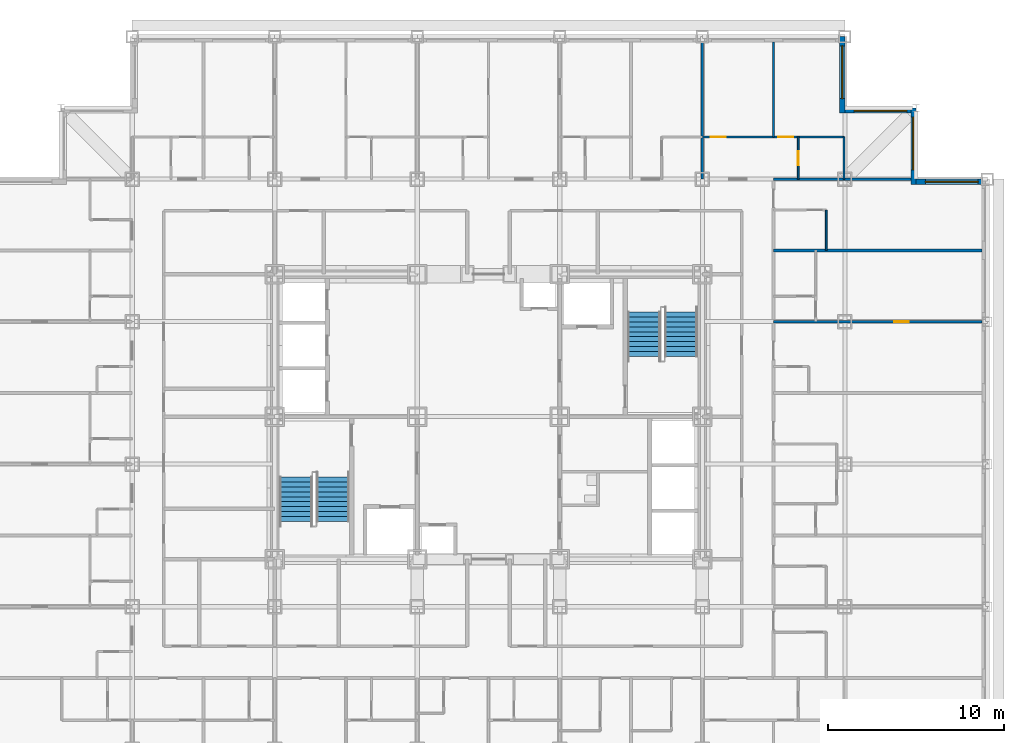
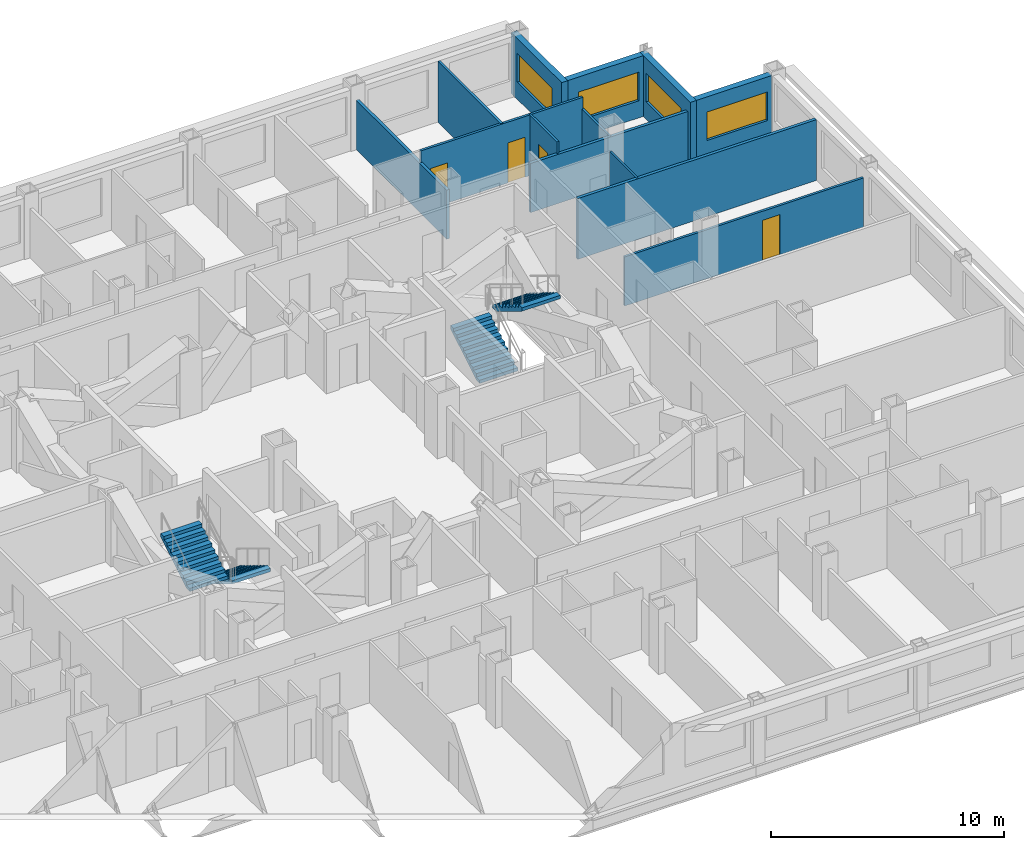
# One storey, part 12 of 14: 13 walls, 4 doors, 4 stair flights, 4 windows, 8 openings, 2 elements without a shape of their own.
"""IFC4 building model written with IfcOpenShell, lengths in metres."""

from ifc_helpers import new_model, si_unit, direction, frame, frame_2d, origin, place, context, subcontext, project, spatial, rectangle, extrude, polygons, source, transform, mapped, material, layer, layer_set, type_object, element, fill, aggregate, save


model = new_model("IFC4")

# Units and contexts
model_context = context("Model", 3, precision=1e-05, world=origin(), true_north=direction((0.0, 1.0)))
body_context = subcontext(model_context, "Body", "Model", "MODEL_VIEW")
ifc_project = project(units=[si_unit("LENGTHUNIT", "METRE"), si_unit("AREAUNIT", "SQUARE_METRE"), si_unit("VOLUMEUNIT", "CUBIC_METRE"), si_unit("PLANEANGLEUNIT", "RADIAN"), si_unit("MASSUNIT", "GRAM", prefix="KILO")], contexts=[model_context])

# Site, building, storey
site_placement = place(None, origin())
site = spatial("IfcSite", under=ifc_project, at=site_placement, CompositionType="ELEMENT")
building_placement = place(site_placement, origin())
building = spatial("IfcBuilding", under=site, at=building_placement, Name="Kopane Lantern Tower", CompositionType="ELEMENT")
storey_placement = place(building_placement, frame((0.0, 0.0, 137.39990234375)))
storey = spatial("IfcBuildingStorey", under=building, at=storey_placement, Name="L35", CompositionType="ELEMENT", Elevation=137.39990234375)

# Wall, opening, door
ifc_material_1 = material(Name="Gypsum board on steel studs", Category="steel")
ifc_layer_1 = layer(ifc_material_1, 0.1201171875)
ifc_layer_set_1 = layer_set([ifc_layer_1], Name="APARTMENT INTERNAL WALL 120")
wall_type_1 = type_object("IfcWallType", Name="APARTMENT INTERNAL WALL 120", PredefinedType="PARTITIONING", material=ifc_layer_set_1)
wall_1_placement = place(storey_placement, frame((44.550048828125, 37.800048828125, 0.0), z_axis=(0.0, 0.0, 1.0), x_axis=(1.0, 0.0, 0.0)))
wall_1 = element("IfcWall", 1, at=wall_1_placement, inside=storey, type_object=wall_type_1, Name="Apartment Internal Wall 120 L35", PredefinedType="PARTITIONING", context=body_context, shape_type="SweptSolid", body=[
    extrude(rectangle(XDim=11.849853515625, YDim=0.1201171875, at=frame_2d((5.9248046875, 0.0))), origin(), (0.0, 0.0, 1.0), 2.577880859375),
])
opening_1_placement = place(wall_1_placement, frame((6.85009765625, 0.0, 0.0)))
opening_1 = element("IfcOpeningElement", 2, at=opening_1_placement, cuts=wall_1, Name="Opening L35-067", PredefinedType="OPENING", context=body_context, shape_type="SweptSolid", body=[
    extrude(rectangle(XDim=0.85009765625, YDim=2.10009765625, at=frame_2d((0.425048828125, 1.050048828125))), frame((0.0, 0.070068359375, 0.0), z_axis=(0.0, -1.0, 0.0), x_axis=(1.0, 0.0, 0.0)), (0.0, 0.0, 1.0), 0.14013671875),
])
ifc_material_2 = material(Name="Timber door set", Category="wood")
door_type_1 = type_object("IfcDoorType", Name="DOOR D4 850x2100", OperationType="SINGLE_SWING_LEFT", PredefinedType="DOOR", material=ifc_material_2)
door_1_placement = place(opening_1_placement, origin())
door_1 = element("IfcDoor", 3, at=door_1_placement, inside=storey, type_object=door_type_1, Name="Door L35-067", OperationType="SINGLE_SWING_LEFT", OverallHeight=2.10009765625, OverallWidth=0.85009765625, PredefinedType="DOOR", context=body_context, shape_type="SweptSolid", body=[
    extrude(rectangle(XDim=0.85009765625, YDim=2.10009765625, at=frame_2d((0.425048828125, 1.050048828125))), frame((0.0, 0.02490234375, 0.0), z_axis=(0.0, -1.0, 0.0), x_axis=(1.0, 0.0, 0.0)), (0.0, 0.0, 1.0), 0.050048828125),
])
fill(opening_1, door_1)

# Wall, openings, doors
wall_2_placement = place(storey_placement, frame((40.5, 48.300048828125, 0.0), z_axis=(0.0, 0.0, 1.0), x_axis=(1.0, 0.0, 0.0)))
wall_2 = element("IfcWall", 4, at=wall_2_placement, inside=storey, type_object=wall_type_1, Name="Apartment Internal Wall 120 L35", PredefinedType="PARTITIONING", context=body_context, shape_type="SweptSolid", body=[
    extrude(rectangle(XDim=8.050048828125, YDim=0.1201171875, at=frame_2d((4.02490234375, 0.0))), origin(), (0.0, 0.0, 1.0), 3.190185546875),
])
opening_2_placement = place(wall_2_placement, frame((0.47509765625, 0.0, 0.0)))
opening_2 = element("IfcOpeningElement", 5, at=opening_2_placement, cuts=wall_2, Name="Opening L35-081", PredefinedType="OPENING", context=body_context, shape_type="SweptSolid", body=[
    extrude(rectangle(XDim=0.85009765625, YDim=2.10009765625, at=frame_2d((0.425048828125, 1.050048828125))), frame((0.0, 0.070068359375, 0.0), z_axis=(0.0, -1.0, 0.0), x_axis=(1.0, 0.0, 0.0)), (0.0, 0.0, 1.0), 0.14013671875),
])
opening_3_placement = place(wall_2_placement, frame((4.324951171875, 0.0, 0.0)))
opening_3 = element("IfcOpeningElement", 6, at=opening_3_placement, cuts=wall_2, Name="Opening L35-083", PredefinedType="OPENING", context=body_context, shape_type="SweptSolid", body=[
    extrude(rectangle(XDim=0.85009765625, YDim=2.10009765625, at=frame_2d((0.425048828125, 1.050048828125))), frame((0.0, 0.070068359375, 0.0), z_axis=(0.0, -1.0, 0.0), x_axis=(1.0, 0.0, 0.0)), (0.0, 0.0, 1.0), 0.14013671875),
])
door_2_placement = place(opening_2_placement, origin())
door_2 = element("IfcDoor", 7, at=door_2_placement, inside=storey, type_object=door_type_1, Name="Door L35-081", OperationType="SINGLE_SWING_RIGHT", OverallHeight=2.10009765625, OverallWidth=0.85009765625, PredefinedType="DOOR", context=body_context, shape_type="SweptSolid", body=[
    extrude(rectangle(XDim=0.85009765625, YDim=2.10009765625, at=frame_2d((0.425048828125, 1.050048828125))), frame((0.0, 0.02490234375, 0.0), z_axis=(0.0, -1.0, 0.0), x_axis=(1.0, 0.0, 0.0)), (0.0, 0.0, 1.0), 0.050048828125),
])
fill(opening_2, door_2)
door_3_placement = place(opening_3_placement, origin())
door_3 = element("IfcDoor", 8, at=door_3_placement, inside=storey, type_object=door_type_1, Name="Door L35-083", OperationType="SINGLE_SWING_LEFT", OverallHeight=2.10009765625, OverallWidth=0.85009765625, PredefinedType="DOOR", context=body_context, shape_type="SweptSolid", body=[
    extrude(rectangle(XDim=0.85009765625, YDim=2.10009765625, at=frame_2d((0.425048828125, 1.050048828125))), frame((0.0, 0.02490234375, 0.0), z_axis=(0.0, -1.0, 0.0), x_axis=(1.0, 0.0, 0.0)), (0.0, 0.0, 1.0), 0.050048828125),
])
fill(opening_3, door_3)

# Walls
wall_3_placement = place(storey_placement, frame((44.550048828125, 48.300048828125, 0.0), z_axis=(0.0, 0.0, 1.0), x_axis=(0.0, 1.0, 0.0)))
element("IfcWall", 9, at=wall_3_placement, inside=storey, type_object=wall_type_1, Name="Apartment Internal Wall 120 L35", PredefinedType="PARTITIONING", context=body_context, shape_type="SweptSolid", body=[
    extrude(rectangle(XDim=5.39990234375, YDim=0.1201171875, at=frame_2d((2.699951171875, 0.0))), origin(), (0.0, 0.0, 1.0), 3.190185546875),
])
ifc_material_3 = material(Name="Moisture-resistant board on steel studs", Category="steel")
ifc_layer_2 = layer(ifc_material_3, 0.10009765625)
ifc_layer_set_2 = layer_set([ifc_layer_2], Name="BATHROOM WALL 100")
wall_type_2 = type_object("IfcWallType", Name="BATHROOM WALL 100", PredefinedType="PARTITIONING", material=ifc_layer_set_2)
wall_4_placement = place(storey_placement, frame((47.550048828125, 41.85009765625, 0.0), z_axis=(0.0, 0.0, 1.0), x_axis=(0.0, 1.0, 0.0)))
element("IfcWall", 10, at=wall_4_placement, inside=storey, type_object=wall_type_2, Name="Bathroom Wall 100 L35", PredefinedType="PARTITIONING", context=body_context, shape_type="SweptSolid", body=[
    extrude(rectangle(XDim=2.2998046875, YDim=0.10009765625, at=frame_2d((1.14990234375, 0.0))), origin(), (0.0, 0.0, 1.0), 3.190185546875),
])

# Wall, opening, door
wall_5_placement = place(storey_placement, frame((45.949951171875, 45.89990234375, 0.0), z_axis=(0.0, 0.0, 1.0), x_axis=(0.0, 1.0, 0.0)))
wall_5 = element("IfcWall", 11, at=wall_5_placement, inside=storey, type_object=wall_type_2, Name="Bathroom Wall 100 L35", PredefinedType="PARTITIONING", context=body_context, shape_type="SweptSolid", body=[
    extrude(rectangle(XDim=2.400146484375, YDim=0.10009765625, at=frame_2d((1.2001953125, 0.0))), origin(), (0.0, 0.0, 1.0), 3.190185546875),
])
opening_4_placement = place(wall_5_placement, frame((0.800048828125, 0.0, 0.0)))
opening_4 = element("IfcOpeningElement", 12, at=opening_4_placement, cuts=wall_5, Name="Opening L35-082", PredefinedType="OPENING", context=body_context, shape_type="SweptSolid", body=[
    extrude(rectangle(XDim=0.800048828125, YDim=2.10009765625, at=frame_2d((0.39990234375, 1.050048828125))), frame((0.0, 0.06005859375, 0.0), z_axis=(0.0, -1.0, 0.0), x_axis=(1.0, 0.0, 0.0)), (0.0, 0.0, 1.0), 0.1201171875),
])
ifc_material_4 = material(Name="Timber door set", Category="wood")
door_type_2 = type_object("IfcDoorType", Name="DOOR D2 800x2100", OperationType="SINGLE_SWING_LEFT", PredefinedType="DOOR", material=ifc_material_4)
door_4_placement = place(opening_4_placement, origin())
door_4 = element("IfcDoor", 13, at=door_4_placement, inside=storey, type_object=door_type_2, Name="Door L35-082", OperationType="SINGLE_SWING_RIGHT", OverallHeight=2.10009765625, OverallWidth=0.800048828125, PredefinedType="DOOR", context=body_context, shape_type="SweptSolid", body=[
    extrude(rectangle(XDim=0.800048828125, YDim=2.10009765625, at=frame_2d((0.39990234375, 1.050048828125))), frame((0.0, 0.02490234375, 0.0), z_axis=(0.0, -1.0, 0.0), x_axis=(1.0, 0.0, 0.0)), (0.0, 0.0, 1.0), 0.050048828125),
])
fill(opening_4, door_4)

# Walls
wall_6_placement = place(storey_placement, frame((48.550048828125, 45.89990234375, 0.0), z_axis=(0.0, 0.0, 1.0), x_axis=(0.0, 1.0, 0.0)))
element("IfcWall", 14, at=wall_6_placement, inside=storey, type_object=wall_type_2, Name="Bathroom Wall 100 L35", PredefinedType="PARTITIONING", context=body_context, shape_type="SweptSolid", body=[
    extrude(rectangle(XDim=2.400146484375, YDim=0.10009765625, at=frame_2d((1.2001953125, 0.0))), origin(), (0.0, 0.0, 1.0), 2.577880859375),
])
ifc_material_5 = material(Name="Gypsum board on steel studs", Category="steel")
ifc_layer_3 = layer(ifc_material_5, 0.14990234375)
ifc_layer_set_3 = layer_set([ifc_layer_3], Name="DEMISING WALL 150 EI 60")
wall_type_3 = type_object("IfcWallType", Name="DEMISING WALL 150 EI 60", PredefinedType="PARTITIONING", material=ifc_layer_set_3)
wall_7_placement = place(storey_placement, frame((44.550048828125, 41.85009765625, 0.0), z_axis=(0.0, 0.0, 1.0), x_axis=(1.0, 0.0, 0.0)))
element("IfcWall", 15, at=wall_7_placement, inside=storey, type_object=wall_type_3, Name="Demising Wall 150 Ei 60 L35", PredefinedType="PARTITIONING", context=body_context, shape_type="SweptSolid", body=[
    extrude(rectangle(XDim=11.849853515625, YDim=0.14990234375, at=frame_2d((5.9248046875, 0.0))), origin(), (0.0, 0.0, 1.0), 3.190185546875),
])
for number, where, z_axis, x_axis, name in (
    (16, (44.550048828125, 45.89990234375, 0.0), (0.0, 0.0, 1.0), (1.0, 0.0, 0.0), "Demising Wall 150 Ei 60 L35"),
    (17, (40.5, 45.89990234375, 0.0), (0.0, 0.0, 1.0), (0.0, 1.0, 0.0), "Demising Wall 150 Ei 60 L35"),
):
    element("IfcWall", number, at=place(storey_placement, frame(where, z_axis=z_axis, x_axis=x_axis)), inside=storey, type_object=wall_type_3, Name=name, PredefinedType="PARTITIONING", context=body_context, shape_type="SweptSolid", body=[
        extrude(rectangle(XDim=7.800048828125, YDim=0.14990234375, at=frame_2d((3.89990234375, 0.0))), origin(), (0.0, 0.0, 1.0), 2.577880859375),
    ])

# Wall, opening, window
ifc_material_6 = material(Name="Terracotta rainscreen on light steel framing", Category="masonry")
ifc_layer_4 = layer(ifc_material_6, 0.300048828125)
ifc_layer_set_4 = layer_set([ifc_layer_4], Name="EXTERNAL WALL EW1 300 TERRACOTTA")
wall_type_4 = type_object("IfcWallType", Name="EXTERNAL WALL EW1 300 TERRACOTTA", PredefinedType="SOLIDWALL", material=ifc_layer_set_4)
wall_8_placement = place(storey_placement, frame((56.39990234375, 45.75, 0.0), z_axis=(0.0, 0.0, 1.0), x_axis=(-1.0, 0.0, 0.0)))
wall_8 = element("IfcWall", 18, at=wall_8_placement, inside=storey, type_object=wall_type_4, Name="External wall N L35", PredefinedType="SOLIDWALL", context=body_context, shape_type="SweptSolid", body=[
    extrude(rectangle(XDim=3.75, YDim=0.300048828125, at=frame_2d((1.875, 0.0))), origin(), (0.0, 0.0, 1.0), 3.190185546875),
])
opening_5_placement = place(wall_8_placement, frame((0.22509765625, 0.0, 0.89990234375)))
opening_5 = element("IfcOpeningElement", 19, at=opening_5_placement, cuts=wall_8, Name="Opening WR300150", PredefinedType="OPENING", context=body_context, shape_type="SweptSolid", body=[
    extrude(rectangle(XDim=3.0, YDim=1.5, at=frame_2d((1.5, 0.75))), frame((0.0, 0.159912109375, 0.0), z_axis=(0.0, -1.0, 0.0), x_axis=(1.0, 0.0, 0.0)), (0.0, 0.0, 1.0), 0.320068359375),
])
ifc_material_7 = material(Name="Aluminium and clear glass", Category="aluminium")
window_type = type_object("IfcWindowType", Name="RIBBON WINDOW WR300150 3000x1500", PartitioningType="SINGLE_PANEL", PredefinedType="WINDOW", material=ifc_material_7)
window_1_placement = place(opening_5_placement, origin())
window_1 = element("IfcWindow", 20, at=window_1_placement, inside=storey, type_object=window_type, Name="Window N L35", OverallHeight=1.5, OverallWidth=3.0, PartitioningType="SINGLE_PANEL", PredefinedType="WINDOW", context=body_context, shape_type="SweptSolid", body=[
    extrude(rectangle(XDim=3.0, YDim=1.5, at=frame_2d((1.5, 0.75))), frame((0.0, 0.030029296875, 0.0), z_axis=(0.0, -1.0, 0.0), x_axis=(1.0, 0.0, 0.0)), (0.0, 0.0, 1.0), 0.06005859375),
])
fill(opening_5, window_1)

wall_9_placement = place(storey_placement, frame((52.5, 45.60009765625, 0.0), z_axis=(0.0, 0.0, 1.0), x_axis=(0.0, 1.0, 0.0)))
wall_9 = element("IfcWall", 21, at=wall_9_placement, inside=storey, type_object=wall_type_4, Name="External wall E L35", PredefinedType="SOLIDWALL", context=body_context, shape_type="SweptSolid", body=[
    extrude(rectangle(XDim=4.349853515625, YDim=0.300048828125, at=frame_2d((2.1748046875, 0.0))), origin(), (0.0, 0.0, 1.0), 3.190185546875),
])
opening_6_placement = place(wall_9_placement, frame((0.824951171875, 0.0, 0.89990234375)))
opening_6 = element("IfcOpeningElement", 22, at=opening_6_placement, cuts=wall_9, Name="Opening WR300150", PredefinedType="OPENING", context=body_context, shape_type="SweptSolid", body=[
    extrude(rectangle(XDim=3.0, YDim=1.5, at=frame_2d((1.5, 0.75))), frame((0.0, 0.159912109375, 0.0), z_axis=(0.0, -1.0, 0.0), x_axis=(1.0, 0.0, 0.0)), (0.0, 0.0, 1.0), 0.320068359375),
])
window_2_placement = place(opening_6_placement, origin())
window_2 = element("IfcWindow", 23, at=window_2_placement, inside=storey, type_object=window_type, Name="Window E L35", OverallHeight=1.5, OverallWidth=3.0, PartitioningType="SINGLE_PANEL", PredefinedType="WINDOW", context=body_context, shape_type="SweptSolid", body=[
    extrude(rectangle(XDim=3.0, YDim=1.5, at=frame_2d((1.5, 0.75))), frame((0.0, 0.030029296875, 0.0), z_axis=(0.0, -1.0, 0.0), x_axis=(1.0, 0.0, 0.0)), (0.0, 0.0, 1.0), 0.06005859375),
])
fill(opening_6, window_2)

wall_10_placement = place(storey_placement, frame((52.35009765625, 49.800048828125, 0.0), z_axis=(0.0, 0.0, 1.0), x_axis=(-1.0, 0.0, 0.0)))
wall_10 = element("IfcWall", 24, at=wall_10_placement, inside=storey, type_object=wall_type_4, Name="External wall N L35", PredefinedType="SOLIDWALL", context=body_context, shape_type="SweptSolid", body=[
    extrude(rectangle(XDim=3.75, YDim=0.300048828125, at=frame_2d((1.875, 0.0))), origin(), (0.0, 0.0, 1.0), 3.190185546875),
])
opening_7_placement = place(wall_10_placement, frame((0.22509765625, 0.0, 0.89990234375)))
opening_7 = element("IfcOpeningElement", 25, at=opening_7_placement, cuts=wall_10, Name="Opening WR300150", PredefinedType="OPENING", context=body_context, shape_type="SweptSolid", body=[
    extrude(rectangle(XDim=3.0, YDim=1.5, at=frame_2d((1.5, 0.75))), frame((0.0, 0.159912109375, 0.0), z_axis=(0.0, -1.0, 0.0), x_axis=(1.0, 0.0, 0.0)), (0.0, 0.0, 1.0), 0.320068359375),
])
window_3_placement = place(opening_7_placement, origin())
window_3 = element("IfcWindow", 26, at=window_3_placement, inside=storey, type_object=window_type, Name="Window N L35", OverallHeight=1.5, OverallWidth=3.0, PartitioningType="SINGLE_PANEL", PredefinedType="WINDOW", context=body_context, shape_type="SweptSolid", body=[
    extrude(rectangle(XDim=3.0, YDim=1.5, at=frame_2d((1.5, 0.75))), frame((0.0, 0.030029296875, 0.0), z_axis=(0.0, -1.0, 0.0), x_axis=(1.0, 0.0, 0.0)), (0.0, 0.0, 1.0), 0.06005859375),
])
fill(opening_7, window_3)

wall_11_placement = place(storey_placement, frame((48.449951171875, 49.64990234375, 0.0), z_axis=(0.0, 0.0, 1.0), x_axis=(0.0, 1.0, 0.0)))
wall_11 = element("IfcWall", 27, at=wall_11_placement, inside=storey, type_object=wall_type_4, Name="External wall E L35", PredefinedType="SOLIDWALL", context=body_context, shape_type="SweptSolid", body=[
    extrude(rectangle(XDim=4.35009765625, YDim=0.300048828125, at=frame_2d((2.175048828125, 0.0))), origin(), (0.0, 0.0, 1.0), 3.190185546875),
])
opening_8_placement = place(wall_11_placement, frame((0.824951171875, 0.0, 0.89990234375)))
opening_8 = element("IfcOpeningElement", 28, at=opening_8_placement, cuts=wall_11, Name="Opening WR300150", PredefinedType="OPENING", context=body_context, shape_type="SweptSolid", body=[
    extrude(rectangle(XDim=3.0, YDim=1.5, at=frame_2d((1.5, 0.75))), frame((0.0, 0.159912109375, 0.0), z_axis=(0.0, -1.0, 0.0), x_axis=(1.0, 0.0, 0.0)), (0.0, 0.0, 1.0), 0.320068359375),
])
window_4_placement = place(opening_8_placement, origin())
window_4 = element("IfcWindow", 29, at=window_4_placement, inside=storey, type_object=window_type, Name="Window E L35", OverallHeight=1.5, OverallWidth=3.0, PartitioningType="SINGLE_PANEL", PredefinedType="WINDOW", context=body_context, shape_type="SweptSolid", body=[
    extrude(rectangle(XDim=3.0, YDim=1.5, at=frame_2d((1.5, 0.75))), frame((0.0, 0.030029296875, 0.0), z_axis=(0.0, -1.0, 0.0), x_axis=(1.0, 0.0, 0.0)), (0.0, 0.0, 1.0), 0.06005859375),
])
fill(opening_8, window_4)

# Stair, stair flights
ifc_material_8 = material(Name="Steel S355JR", Category="steel")
stair_type = type_object("IfcStairType", Name="EXIT STAIR 1900 HALF TURN", PredefinedType="HALF_TURN_STAIR", material=ifc_material_8)
stair_1_placement = place(storey_placement, origin())
stair_1 = element("IfcStair", 30, at=stair_1_placement, inside=storey, type_object=stair_type, Name="Exit stair ST1 L35", PredefinedType="HALF_TURN_STAIR")
ifc_material_9 = material(Name="Steel S355JR", Category="steel")
stair_flight_type = type_object("IfcStairFlightType", Name="STAIR FLIGHT 1900 STEEL", PredefinedType="STRAIGHT", material=ifc_material_9)
shared_shape = source(origin(), body_context, "Body", "Tessellation", [
    polygons([(2.520019531, 0.949951172, 1.530029297), (2.239990234, 0.949951172, 1.530029297), (2.239990234, -0.949951172, 1.530029297), (2.520019531, -0.949951172, 1.530029297), (0.288818359, 0.949951172, 0.0), (2.520019531, 0.949951172, 1.354736328), (2.520019531, -0.949951172, 1.354736328), (0.288818359, -0.949951172, 0.0), (0.0, 0.949951172, 0.0), (0.0, -0.949951172, 0.0), (0.280029297, 0.949951172, 0.169921875), (0.0, 0.949951172, 0.169921875), (0.0, -0.949951172, 0.169921875), (0.280029297, -0.949951172, 0.169921875), (0.280029297, 0.949951172, 0.340087891), (0.280029297, -0.949951172, 0.340087891), (0.560058594, 0.949951172, 0.340087891), (0.560058594, -0.949951172, 0.340087891), (0.560058594, 0.949951172, 0.510009766), (0.560058594, -0.949951172, 0.510009766), (0.840087891, 0.949951172, 0.510009766), (0.840087891, -0.949951172, 0.510009766), (0.840087891, 0.949951172, 0.679931641), (0.840087891, -0.949951172, 0.679931641), (1.120117188, 0.949951172, 0.679931641), (1.120117188, -0.949951172, 0.679931641), (1.120117188, 0.949951172, 0.850097656), (1.120117188, -0.949951172, 0.850097656), (1.399902344, 0.949951172, 0.850097656), (1.399902344, -0.949951172, 0.850097656), (1.399902344, 0.949951172, 1.020019531), (1.399902344, -0.949951172, 1.020019531), (1.679931641, 0.949951172, 1.020019531), (1.679931641, -0.949951172, 1.020019531), (1.679931641, 0.949951172, 1.189941406), (1.679931641, -0.949951172, 1.189941406), (1.959960938, 0.949951172, 1.189941406), (1.959960938, -0.949951172, 1.189941406), (1.959960938, 0.949951172, 1.360107422), (1.959960938, -0.949951172, 1.360107422), (2.239990234, 0.949951172, 1.360107422), (2.239990234, -0.949951172, 1.360107422), (0.0, 0.0, 0.004592483), (0.0, 0.0, 0.009184966), (0.0, 0.0, 0.013777449), (0.0, 0.0, 0.018369932), (0.0, 0.0, 0.022962416), (0.0, 0.0, 0.027554899), (0.0, 0.0, 0.032147382), (0.0, 0.0, 0.036739865), (0.0, 0.0, 0.041332348), (0.0, 0.0, 0.045924831), (0.0, 0.0, 0.050517314), (0.0, 0.0, 0.055109797), (0.0, 0.0, 0.05970228), (0.0, 0.0, 0.064294764), (0.0, 0.0, 0.068887247), (0.0, 0.0, 0.07347973), (0.0, 0.0, 0.078072213), (0.0, 0.0, 0.082664696), (0.0, 0.0, 0.087257179), (0.0, 0.0, 0.091849662), (0.0, 0.0, 0.096442145), (0.0, 0.0, 0.101034628), (0.0, 0.0, 0.105627111), (0.0, 0.0, 0.110219595), (0.0, 0.0, 0.114812078), (0.0, 0.0, 0.119404561), (0.0, 0.0, 0.123997044), (0.0, 0.0, 0.128589527), (0.0, 0.0, 0.13318201), (0.0, 0.0, 0.137774493), (0.0, 0.0, 0.142366976), (0.0, 0.0, 0.146959459), (0.0, 0.0, 0.151551943), (0.0, 0.0, 0.156144426), (0.0, 0.0, 0.160736909), (0.0, 0.0, 0.165329392), (2.520019531, 0.0, 1.359473976), (2.520019531, 0.0, 1.364211624), (2.520019531, 0.0, 1.368949272), (2.520019531, 0.0, 1.373686919), (2.520019531, 0.0, 1.378424567), (2.520019531, 0.0, 1.383162215), (2.520019531, 0.0, 1.387899863), (2.520019531, 0.0, 1.392637511), (2.520019531, 0.0, 1.397375158), (2.520019531, 0.0, 1.402112806), (2.520019531, 0.0, 1.406850454), (2.520019531, 0.0, 1.411588102), (2.520019531, 0.0, 1.41632575), (2.520019531, 0.0, 1.421063397), (2.520019531, 0.0, 1.425801045), (2.520019531, 0.0, 1.430538693), (2.520019531, 0.0, 1.435276341), (2.520019531, 0.0, 1.440013989), (2.520019531, 0.0, 1.444751636), (2.520019531, 0.0, 1.449489284), (2.520019531, 0.0, 1.454226932), (2.520019531, 0.0, 1.45896458), (2.520019531, 0.0, 1.463702228), (2.520019531, 0.0, 1.468439875), (2.520019531, 0.0, 1.473177523), (2.520019531, 0.0, 1.477915171), (2.520019531, 0.0, 1.482652819), (2.520019531, 0.0, 1.487390467), (2.520019531, 0.0, 1.492128114), (2.520019531, 0.0, 1.496865762), (2.520019531, 0.0, 1.50160341), (2.520019531, 0.0, 1.506341058), (2.520019531, 0.0, 1.511078706), (2.520019531, 0.0, 1.515816353), (2.520019531, 0.0, 1.520554001), (2.520019531, 0.0, 1.525291649)], [[[1, 2, 3]], [[1, 3, 4]], [[5, 6, 7]], [[5, 7, 8]], [[9, 5, 8]], [[9, 8, 10]], [[11, 12, 13]], [[11, 13, 14]], [[15, 11, 14]], [[15, 14, 16]], [[17, 15, 16]], [[17, 16, 18]], [[19, 17, 18]], [[19, 18, 20]], [[21, 19, 20]], [[21, 20, 22]], [[23, 21, 22]], [[23, 22, 24]], [[25, 23, 24]], [[25, 24, 26]], [[27, 25, 26]], [[27, 26, 28]], [[29, 27, 28]], [[29, 28, 30]], [[31, 29, 30]], [[31, 30, 32]], [[33, 31, 32]], [[33, 32, 34]], [[35, 33, 34]], [[35, 34, 36]], [[37, 35, 36]], [[37, 36, 38]], [[39, 37, 38]], [[39, 38, 40]], [[41, 39, 40]], [[41, 40, 42]], [[2, 41, 42]], [[2, 42, 3]], [[41, 1, 6]], [[37, 41, 6]], [[2, 1, 41]], [[33, 37, 6]], [[39, 41, 37]], [[35, 37, 33]], [[31, 33, 29]], [[5, 21, 25]], [[27, 29, 25]], [[17, 21, 5]], [[23, 25, 21]], [[11, 17, 5]], [[19, 21, 17]], [[9, 11, 5]], [[15, 17, 11]], [[12, 11, 9]], [[6, 5, 25]], [[6, 25, 29]], [[6, 29, 33]], [[7, 4, 42]], [[7, 42, 38]], [[42, 4, 3]], [[7, 38, 34]], [[38, 42, 40]], [[34, 38, 36]], [[30, 34, 32]], [[26, 22, 8]], [[26, 30, 28]], [[8, 22, 18]], [[22, 26, 24]], [[8, 18, 14]], [[18, 22, 20]], [[8, 14, 10]], [[14, 18, 16]], [[10, 14, 13]], [[26, 8, 7]], [[30, 26, 7]], [[34, 30, 7]], [[10, 43, 9]], [[10, 44, 43]], [[9, 43, 44]], [[10, 45, 44]], [[9, 44, 45]], [[10, 46, 45]], [[9, 45, 46]], [[10, 47, 46]], [[9, 46, 47]], [[10, 48, 47]], [[9, 47, 48]], [[10, 49, 48]], [[9, 48, 49]], [[10, 50, 49]], [[9, 49, 50]], [[10, 51, 50]], [[9, 50, 51]], [[10, 52, 51]], [[9, 51, 52]], [[10, 53, 52]], [[9, 52, 53]], [[10, 54, 53]], [[9, 53, 54]], [[10, 55, 54]], [[9, 54, 55]], [[10, 56, 55]], [[9, 55, 56]], [[10, 57, 56]], [[9, 56, 57]], [[10, 58, 57]], [[9, 57, 58]], [[10, 59, 58]], [[9, 58, 59]], [[10, 60, 59]], [[9, 59, 60]], [[10, 61, 60]], [[9, 60, 61]], [[10, 62, 61]], [[9, 61, 62]], [[10, 63, 62]], [[9, 62, 63]], [[10, 64, 63]], [[9, 63, 64]], [[10, 65, 64]], [[9, 64, 65]], [[10, 66, 65]], [[9, 65, 66]], [[10, 67, 66]], [[9, 66, 67]], [[10, 68, 67]], [[9, 67, 68]], [[10, 69, 68]], [[9, 68, 69]], [[10, 70, 69]], [[9, 69, 70]], [[10, 71, 70]], [[9, 70, 71]], [[10, 72, 71]], [[9, 71, 72]], [[10, 73, 72]], [[9, 72, 73]], [[10, 74, 73]], [[9, 73, 74]], [[10, 75, 74]], [[9, 74, 75]], [[10, 76, 75]], [[9, 75, 76]], [[10, 77, 76]], [[9, 76, 77]], [[10, 78, 77]], [[9, 77, 78]], [[10, 13, 78]], [[78, 13, 12]], [[9, 78, 12]], [[7, 6, 79]], [[7, 79, 80]], [[6, 80, 79]], [[7, 80, 81]], [[6, 81, 80]], [[7, 81, 82]], [[6, 82, 81]], [[7, 82, 83]], [[6, 83, 82]], [[7, 83, 84]], [[6, 84, 83]], [[7, 84, 85]], [[6, 85, 84]], [[7, 85, 86]], [[6, 86, 85]], [[7, 86, 87]], [[6, 87, 86]], [[7, 87, 88]], [[6, 88, 87]], [[7, 88, 89]], [[6, 89, 88]], [[7, 89, 90]], [[6, 90, 89]], [[7, 90, 91]], [[6, 91, 90]], [[7, 91, 92]], [[6, 92, 91]], [[7, 92, 93]], [[6, 93, 92]], [[7, 93, 94]], [[6, 94, 93]], [[7, 94, 95]], [[6, 95, 94]], [[7, 95, 96]], [[6, 96, 95]], [[7, 96, 97]], [[6, 97, 96]], [[7, 97, 98]], [[6, 98, 97]], [[7, 98, 99]], [[6, 99, 98]], [[7, 99, 100]], [[6, 100, 99]], [[7, 100, 101]], [[6, 101, 100]], [[7, 101, 102]], [[6, 102, 101]], [[7, 102, 103]], [[6, 103, 102]], [[7, 103, 104]], [[6, 104, 103]], [[7, 104, 105]], [[6, 105, 104]], [[7, 105, 106]], [[6, 106, 105]], [[7, 106, 107]], [[6, 107, 106]], [[7, 107, 108]], [[6, 108, 107]], [[7, 108, 109]], [[6, 109, 108]], [[7, 109, 110]], [[6, 110, 109]], [[7, 110, 111]], [[6, 111, 110]], [[7, 111, 112]], [[6, 112, 111]], [[7, 112, 113]], [[6, 113, 112]], [[7, 113, 114]], [[6, 114, 113]], [[7, 114, 4]], [[114, 1, 4]], [[6, 1, 114]]], closed=True),
])
stair_flight_1_placement = place(storey_placement, frame((19.5, 28.969970703125, 0.0), z_axis=(0.0, 0.0, 1.0), x_axis=(0.0, -1.0, 0.0)))
stair_flight_1 = element("IfcStairFlight", 31, at=stair_flight_1_placement, type_object=stair_flight_type, Name="ST1 flight 1", NumberOfRisers=10, NumberOfTreads=9, PredefinedType="STRAIGHT", RiserHeight=0.17, TreadLength=0.28, context=body_context, shape_type="MappedRepresentation", body=[
    mapped(shared_shape, transform((0.0, 0.0, 0.0))),
])
stair_flight_2_placement = place(storey_placement, frame((17.39990234375, 26.449951171875, 1.7001953125), z_axis=(0.0, 0.0, 1.0), x_axis=(0.0, 1.0, 0.0)))
stair_flight_2 = element("IfcStairFlight", 32, at=stair_flight_2_placement, type_object=stair_flight_type, Name="ST1 flight 2", NumberOfRisers=10, NumberOfTreads=9, PredefinedType="STRAIGHT", RiserHeight=0.17, TreadLength=0.28, context=body_context, shape_type="MappedRepresentation", body=[
    mapped(shared_shape, transform((0.0, 0.0, 0.0))),
])
aggregate(stair_1, [stair_flight_1, stair_flight_2])

stair_2_placement = place(storey_placement, origin())
stair_2 = element("IfcStair", 33, at=stair_2_placement, inside=storey, type_object=stair_type, Name="Exit stair ST2 L35", PredefinedType="HALF_TURN_STAIR")
stair_flight_3_placement = place(storey_placement, frame((37.199951171875, 35.830078125, 0.0), z_axis=(0.0, 0.0, 1.0), x_axis=(0.0, 1.0, 0.0)))
stair_flight_3 = element("IfcStairFlight", 34, at=stair_flight_3_placement, type_object=stair_flight_type, Name="ST2 flight 1", NumberOfRisers=10, NumberOfTreads=9, PredefinedType="STRAIGHT", RiserHeight=0.17, TreadLength=0.28, context=body_context, shape_type="MappedRepresentation", body=[
    mapped(shared_shape, transform((0.0, 0.0, 0.0))),
])
stair_flight_4_placement = place(storey_placement, frame((39.300048828125, 38.35009765625, 1.7001953125), z_axis=(0.0, 0.0, 1.0), x_axis=(0.0, -1.0, 0.0)))
stair_flight_4 = element("IfcStairFlight", 35, at=stair_flight_4_placement, type_object=stair_flight_type, Name="ST2 flight 2", NumberOfRisers=10, NumberOfTreads=9, PredefinedType="STRAIGHT", RiserHeight=0.17, TreadLength=0.28, context=body_context, shape_type="MappedRepresentation", body=[
    mapped(shared_shape, transform((0.0, 0.0, 0.0))),
])
aggregate(stair_2, [stair_flight_3, stair_flight_4])

save(model, "model.ifc")
